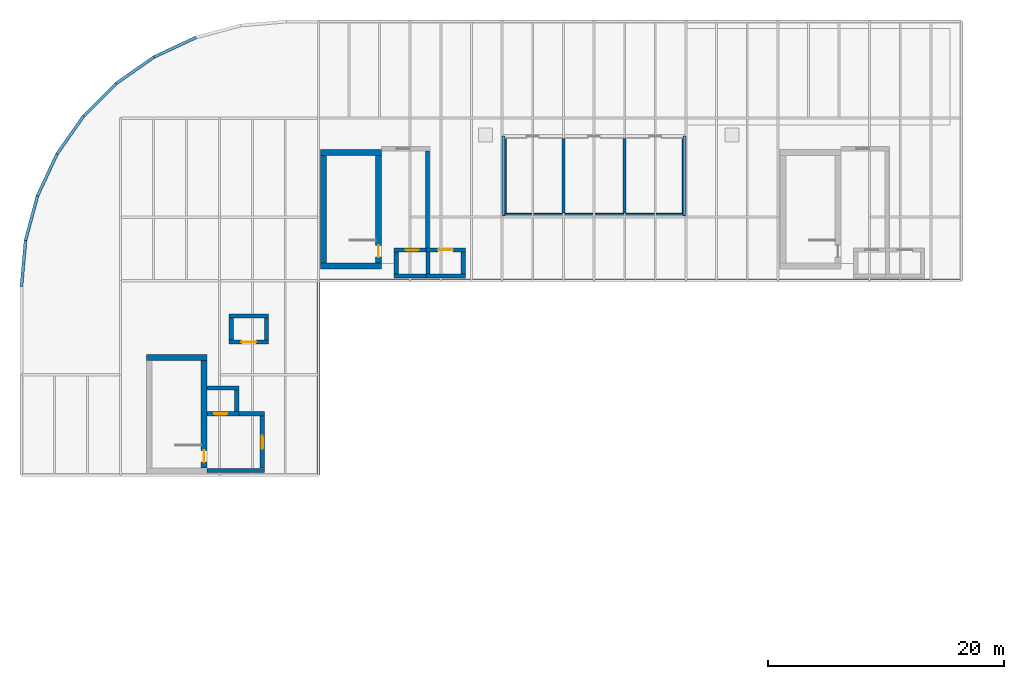
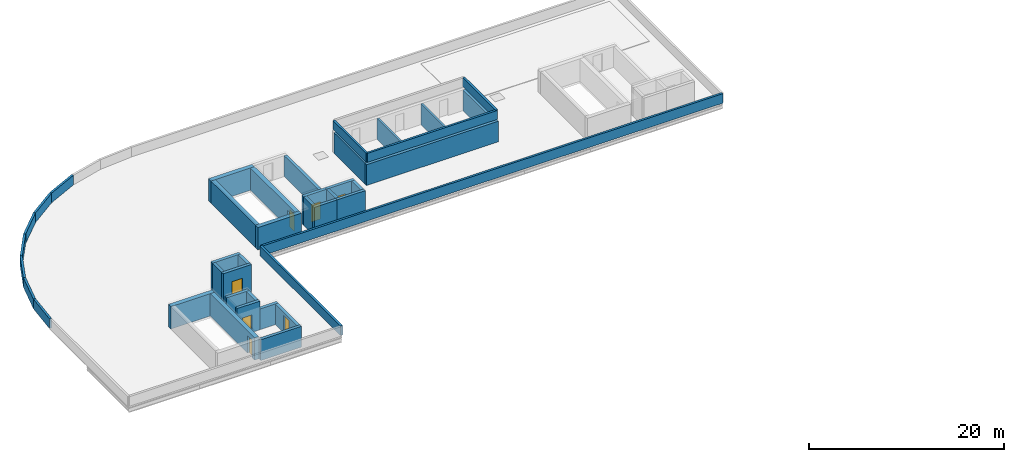
# One storey, part 4 of 9: 41 walls, 7 doors, 7 openings.
"""IFC4 building model written with IfcOpenShell, lengths in metres."""

from ifc_helpers import new_model, si_unit, direction, frame, frame_2d, origin, place, context, subcontext, project, spatial, rectangle, extrude, material, layer, layer_set, type_object, element, fill, save


model = new_model("IFC4")

# Units and contexts
model_context = context("Model", 3, precision=1e-05, world=origin(), true_north=direction((0.0, 1.0)))
body_context = subcontext(model_context, "Body", "Model", "MODEL_VIEW")
ifc_project = project(units=[si_unit("LENGTHUNIT", "METRE"), si_unit("AREAUNIT", "SQUARE_METRE"), si_unit("VOLUMEUNIT", "CUBIC_METRE"), si_unit("PLANEANGLEUNIT", "RADIAN"), si_unit("MASSUNIT", "GRAM", prefix="KILO")], contexts=[model_context])

# Site, building, storey
site_placement = place(None, origin())
site = spatial("IfcSite", under=ifc_project, at=site_placement, CompositionType="ELEMENT")
building_placement = place(site_placement, origin())
building = spatial("IfcBuilding", under=site, at=building_placement, Name="Sefraquen Railside Congress Hotel", CompositionType="ELEMENT")
storey_placement = place(building_placement, frame((0.0, 0.0, 51.60009765625)))
storey = spatial("IfcBuildingStorey", under=building, at=storey_placement, Name="RF", CompositionType="ELEMENT", Elevation=51.60009765625)

# Walls
ifc_material_1 = material(Name="Concrete C50/60", Category="concrete")
ifc_layer_1 = layer(ifc_material_1, 0.35009765625)
ifc_layer_set_1 = layer_set([ifc_layer_1], Name="Concrete C50/60")
wall_type_1 = type_object("IfcWallType", Name="TW-CW-350", PredefinedType="SHEAR", material=ifc_layer_set_1)
wall_1_placement = place(storey_placement, frame((40.800048828125, 101.574951171875, 0.0), z_axis=(0.0, 0.0, 1.0), x_axis=(1.0, 0.0, 0.0)))
element("IfcWall", 1, at=wall_1_placement, inside=storey, type_object=wall_type_1, Name="Rooftop service penthouse wall S", PredefinedType="SHEAR", context=body_context, shape_type="SweptSolid", body=[
    extrude(rectangle(XDim=15.599853515625, YDim=0.35009765625, at=frame_2d((7.7998046875, 0.0))), origin(), (0.0, 0.0, 1.0), 2.599853515625),
])
for number, where, z_axis, x_axis, name in (
    (2, (40.97509765625, 101.75, 0.0), (0.0, 0.0, 1.0), (0.0, 1.0, 0.0), "Rooftop service penthouse wall W"),
    (3, (56.22509765625, 101.75, 0.0), (0.0, 0.0, 1.0), (0.0, 1.0, 0.0), "Rooftop service penthouse wall E"),
):
    element("IfcWall", number, at=place(storey_placement, frame(where, z_axis=z_axis, x_axis=x_axis)), inside=storey, type_object=wall_type_1, Name=name, PredefinedType="SHEAR", context=body_context, shape_type="SweptSolid", body=[
        extrude(rectangle(XDim=6.300048828125, YDim=0.35009765625, at=frame_2d((3.14990234375, 0.0))), origin(), (0.0, 0.0, 1.0), 2.599853515625),
    ])
wall_2_placement = place(storey_placement, frame((15.760009765625, 86.89501953125, 0.0), z_axis=(0.0, 0.0, 1.0), x_axis=(1.0, 0.0, 0.0)))
element("IfcWall", 4, at=wall_2_placement, inside=storey, type_object=wall_type_1, Name="Lift FL-01 shaft wall N RF", PredefinedType="SHEAR", context=body_context, shape_type="SweptSolid", body=[
    extrude(rectangle(XDim=2.68994140625, YDim=0.35009765625, at=frame_2d((1.344970703125, 0.0))), origin(), (0.0, 0.0, 1.0), 3.599853515625),
])

# Wall, opening, door
wall_3_placement = place(storey_placement, frame((15.760009765625, 84.705078125, 0.0), z_axis=(0.0, 0.0, 1.0), x_axis=(1.0, 0.0, 0.0)))
wall_3 = element("IfcWall", 5, at=wall_3_placement, inside=storey, type_object=wall_type_1, Name="Lift FL-01 shaft wall S RF", PredefinedType="SHEAR", context=body_context, shape_type="SweptSolid", body=[
    extrude(rectangle(XDim=2.68994140625, YDim=0.35009765625, at=frame_2d((1.344970703125, 0.0))), origin(), (0.0, 0.0, 1.0), 3.599853515625),
])
opening_1_placement = place(wall_3_placement, frame((0.6201171875, 0.0, 0.0)))
opening_1 = element("IfcOpeningElement", 6, at=opening_1_placement, cuts=wall_3, Name="Opening LD-01", PredefinedType="OPENING", context=body_context, shape_type="SweptSolid", body=[
    extrude(rectangle(XDim=1.10009765625, YDim=2.199951171875, at=frame_2d((0.550048828125, 1.10009765625))), frame((0.0, 0.18505859375, 0.0), z_axis=(0.0, -1.0, 0.0), x_axis=(1.0, 0.0, 0.0)), (0.0, 0.0, 1.0), 0.3701171875),
])
ifc_material_2 = material(Name="Brushed bronze stainless steel", Category="steel")
door_type_1 = type_object("IfcDoorType", Name="TD-LD-01", OperationType="NOTDEFINED", PredefinedType="DOOR", material=ifc_material_2)
door_1_placement = place(opening_1_placement, origin())
door_1 = element("IfcDoor", 7, at=door_1_placement, inside=storey, type_object=door_type_1, Name="Lift landing door FL-01 RF", OperationType="SLIDING_TO_LEFT", OverallHeight=2.199951171875, OverallWidth=1.10009765625, PredefinedType="DOOR", context=body_context, shape_type="SweptSolid", body=[
    extrude(rectangle(XDim=1.10009765625, YDim=2.199951171875, at=frame_2d((0.550048828125, 1.10009765625))), frame((0.0, 0.02490234375, 0.0), z_axis=(0.0, -1.0, 0.0), x_axis=(1.0, 0.0, 0.0)), (0.0, 0.0, 1.0), 0.050048828125),
])
fill(opening_1, door_1)

# Wall
wall_4_placement = place(storey_placement, frame((18.27490234375, 84.8798828125, 0.0), z_axis=(0.0, 0.0, 1.0), x_axis=(0.0, 1.0, 0.0)))
element("IfcWall", 8, at=wall_4_placement, inside=storey, type_object=wall_type_1, Name="Lift FL-01 shaft wall E RF", PredefinedType="SHEAR", context=body_context, shape_type="SweptSolid", body=[
    extrude(rectangle(XDim=1.840087890625, YDim=0.35009765625, at=frame_2d((0.919921875, 0.0))), origin(), (0.0, 0.0, 1.0), 3.599853515625),
])

# Wall, opening, door
wall_5_placement = place(storey_placement, frame((31.639892578125, 98.594970703125, 0.0), z_axis=(0.0, 0.0, 1.0), x_axis=(1.0, 0.0, 0.0)))
wall_5 = element("IfcWall", 9, at=wall_5_placement, inside=storey, type_object=wall_type_1, Name="Lift FL-02 shaft wall N RF", PredefinedType="SHEAR", context=body_context, shape_type="SweptSolid", body=[
    extrude(rectangle(XDim=2.690185546875, YDim=0.35009765625, at=frame_2d((1.34521484375, 0.0))), origin(), (0.0, 0.0, 1.0), 3.599853515625),
])
opening_2_placement = place(wall_5_placement, frame((0.969970703125, 0.0, 0.0)))
opening_2 = element("IfcOpeningElement", 10, at=opening_2_placement, cuts=wall_5, Name="Opening LD-01", PredefinedType="OPENING", context=body_context, shape_type="SweptSolid", body=[
    extrude(rectangle(XDim=1.10009765625, YDim=2.199951171875, at=frame_2d((0.550048828125, 1.10009765625))), frame((0.0, 0.18505859375, 0.0), z_axis=(0.0, -1.0, 0.0), x_axis=(1.0, 0.0, 0.0)), (0.0, 0.0, 1.0), 0.3701171875),
])
door_2_placement = place(opening_2_placement, origin())
door_2 = element("IfcDoor", 11, at=door_2_placement, inside=storey, type_object=door_type_1, Name="Lift landing door FL-02 RF", OperationType="SLIDING_TO_LEFT", OverallHeight=2.199951171875, OverallWidth=1.10009765625, PredefinedType="DOOR", context=body_context, shape_type="SweptSolid", body=[
    extrude(rectangle(XDim=1.10009765625, YDim=2.199951171875, at=frame_2d((0.550048828125, 1.10009765625))), frame((0.0, 0.02490234375, 0.0), z_axis=(0.0, -1.0, 0.0), x_axis=(1.0, 0.0, 0.0)), (0.0, 0.0, 1.0), 0.050048828125),
])
fill(opening_2, door_2)

# Walls
wall_6_placement = place(storey_placement, frame((31.639892578125, 96.405029296875, 0.0), z_axis=(0.0, 0.0, 1.0), x_axis=(1.0, 0.0, 0.0)))
element("IfcWall", 12, at=wall_6_placement, inside=storey, type_object=wall_type_1, Name="Lift FL-02 shaft wall S RF", PredefinedType="SHEAR", context=body_context, shape_type="SweptSolid", body=[
    extrude(rectangle(XDim=2.690185546875, YDim=0.35009765625, at=frame_2d((1.34521484375, 0.0))), origin(), (0.0, 0.0, 1.0), 3.599853515625),
])
wall_7_placement = place(storey_placement, frame((31.81494140625, 96.580078125, 0.0), z_axis=(0.0, 0.0, 1.0), x_axis=(0.0, 1.0, 0.0)))
element("IfcWall", 13, at=wall_7_placement, inside=storey, type_object=wall_type_1, Name="Lift FL-02 shaft wall W RF", PredefinedType="SHEAR", context=body_context, shape_type="SweptSolid", body=[
    extrude(rectangle(XDim=1.83984375, YDim=0.35009765625, at=frame_2d((0.919921875, 0.0))), origin(), (0.0, 0.0, 1.0), 3.599853515625),
])
wall_8_placement = place(storey_placement, frame((17.6298828125, 92.9951171875, 0.0), z_axis=(0.0, 0.0, 1.0), x_axis=(1.0, 0.0, 0.0)))
element("IfcWall", 14, at=wall_8_placement, inside=storey, type_object=wall_type_1, Name="Lift PL-01 shaft wall N RF", PredefinedType="SHEAR", context=body_context, shape_type="SweptSolid", body=[
    extrude(rectangle(XDim=3.340087890625, YDim=0.35009765625, at=frame_2d((1.669921875, 0.0))), origin(), (0.0, 0.0, 1.0), 3.599853515625),
])

# Wall, opening, door
wall_9_placement = place(storey_placement, frame((17.6298828125, 90.804931640625, 0.0), z_axis=(0.0, 0.0, 1.0), x_axis=(1.0, 0.0, 0.0)))
wall_9 = element("IfcWall", 15, at=wall_9_placement, inside=storey, type_object=wall_type_1, Name="Lift PL-01 shaft wall S RF", PredefinedType="SHEAR", context=body_context, shape_type="SweptSolid", body=[
    extrude(rectangle(XDim=3.340087890625, YDim=0.35009765625, at=frame_2d((1.669921875, 0.0))), origin(), (0.0, 0.0, 1.0), 3.599853515625),
])
opening_3_placement = place(wall_9_placement, frame((1.044921875, 0.0, 0.0)))
opening_3 = element("IfcOpeningElement", 16, at=opening_3_placement, cuts=wall_9, Name="Opening LD-02", PredefinedType="OPENING", context=body_context, shape_type="SweptSolid", body=[
    extrude(rectangle(XDim=1.25, YDim=2.25, at=frame_2d((0.625, 1.125))), frame((0.0, 0.18505859375, 0.0), z_axis=(0.0, -1.0, 0.0), x_axis=(1.0, 0.0, 0.0)), (0.0, 0.0, 1.0), 0.3701171875),
])
ifc_material_3 = material(Name="Brushed stainless steel", Category="steel")
door_type_2 = type_object("IfcDoorType", Name="TD-LD-02", OperationType="NOTDEFINED", PredefinedType="DOOR", material=ifc_material_3)
door_3_placement = place(opening_3_placement, origin())
door_3 = element("IfcDoor", 17, at=door_3_placement, inside=storey, type_object=door_type_2, Name="Lift landing door PL-01 RF", OperationType="SLIDING_TO_LEFT", OverallHeight=2.25, OverallWidth=1.25, PredefinedType="DOOR", context=body_context, shape_type="SweptSolid", body=[
    extrude(rectangle(XDim=1.25, YDim=2.25, at=frame_2d((0.625, 1.125))), frame((0.0, 0.02490234375, 0.0), z_axis=(0.0, -1.0, 0.0), x_axis=(1.0, 0.0, 0.0)), (0.0, 0.0, 1.0), 0.050048828125),
])
fill(opening_3, door_3)

# Walls
for number, where, z_axis, x_axis, name in (
    (18, (17.804931640625, 90.97998046875, 0.0), (0.0, 0.0, 1.0), (0.0, 1.0, 0.0), "Lift PL-01 shaft wall W RF"),
    (19, (20.794921875, 90.97998046875, 0.0), (0.0, 0.0, 1.0), (0.0, 1.0, 0.0), "Lift PL-01 shaft wall E RF"),
):
    element("IfcWall", number, at=place(storey_placement, frame(where, z_axis=z_axis, x_axis=x_axis)), inside=storey, type_object=wall_type_1, Name=name, PredefinedType="SHEAR", context=body_context, shape_type="SweptSolid", body=[
        extrude(rectangle(XDim=1.840087890625, YDim=0.35009765625, at=frame_2d((0.919921875, 0.0))), origin(), (0.0, 0.0, 1.0), 3.599853515625),
    ])

# Wall, opening, door
wall_10_placement = place(storey_placement, frame((34.330078125, 98.594970703125, 0.0), z_axis=(0.0, 0.0, 1.0), x_axis=(1.0, 0.0, 0.0)))
wall_10 = element("IfcWall", 20, at=wall_10_placement, inside=storey, type_object=wall_type_1, Name="Lift PL-03 shaft wall N RF", PredefinedType="SHEAR", context=body_context, shape_type="SweptSolid", body=[
    extrude(rectangle(XDim=3.33984375, YDim=0.35009765625, at=frame_2d((1.669921875, 0.0))), origin(), (0.0, 0.0, 1.0), 3.599853515625),
])
opening_4_placement = place(wall_10_placement, frame((1.044921875, 0.0, 0.0)))
opening_4 = element("IfcOpeningElement", 21, at=opening_4_placement, cuts=wall_10, Name="Opening LD-02", PredefinedType="OPENING", context=body_context, shape_type="SweptSolid", body=[
    extrude(rectangle(XDim=1.25, YDim=2.25, at=frame_2d((0.625, 1.125))), frame((0.0, 0.18505859375, 0.0), z_axis=(0.0, -1.0, 0.0), x_axis=(1.0, 0.0, 0.0)), (0.0, 0.0, 1.0), 0.3701171875),
])
door_4_placement = place(opening_4_placement, origin())
door_4 = element("IfcDoor", 22, at=door_4_placement, inside=storey, type_object=door_type_2, Name="Lift landing door PL-03 RF", OperationType="SLIDING_TO_LEFT", OverallHeight=2.25, OverallWidth=1.25, PredefinedType="DOOR", context=body_context, shape_type="SweptSolid", body=[
    extrude(rectangle(XDim=1.25, YDim=2.25, at=frame_2d((0.625, 1.125))), frame((0.0, 0.02490234375, 0.0), z_axis=(0.0, -1.0, 0.0), x_axis=(1.0, 0.0, 0.0)), (0.0, 0.0, 1.0), 0.050048828125),
])
fill(opening_4, door_4)

# Walls
wall_11_placement = place(storey_placement, frame((34.330078125, 96.405029296875, 0.0), z_axis=(0.0, 0.0, 1.0), x_axis=(1.0, 0.0, 0.0)))
element("IfcWall", 23, at=wall_11_placement, inside=storey, type_object=wall_type_1, Name="Lift PL-03 shaft wall S RF", PredefinedType="SHEAR", context=body_context, shape_type="SweptSolid", body=[
    extrude(rectangle(XDim=3.33984375, YDim=0.35009765625, at=frame_2d((1.669921875, 0.0))), origin(), (0.0, 0.0, 1.0), 3.599853515625),
])
for number, where, z_axis, x_axis, name in (
    (24, (34.5048828125, 96.580078125, 0.0), (0.0, 0.0, 1.0), (0.0, 1.0, 0.0), "Lift PL-03 shaft wall W RF"),
    (25, (37.4951171875, 96.580078125, 0.0), (0.0, 0.0, 1.0), (0.0, 1.0, 0.0), "Lift PL-03 shaft wall E RF"),
):
    element("IfcWall", number, at=place(storey_placement, frame(where, z_axis=z_axis, x_axis=x_axis)), inside=storey, type_object=wall_type_1, Name=name, PredefinedType="SHEAR", context=body_context, shape_type="SweptSolid", body=[
        extrude(rectangle(XDim=1.83984375, YDim=0.35009765625, at=frame_2d((0.919921875, 0.0))), origin(), (0.0, 0.0, 1.0), 3.599853515625),
    ])
wall_12_placement = place(storey_placement, frame((15.760009765625, 79.89990234375, 0.0), z_axis=(0.0, 0.0, 1.0), x_axis=(1.0, 0.0, 0.0)))
element("IfcWall", 26, at=wall_12_placement, inside=storey, type_object=wall_type_1, Name="Firefighting Lift Lobby FFL-01 S fire wall RF", PredefinedType="SHEAR", context=body_context, shape_type="SweptSolid", body=[
    extrude(rectangle(XDim=4.860107421875, YDim=0.35009765625, at=frame_2d((2.43017578125, 0.0))), origin(), (0.0, 0.0, 1.0), 2.599853515625),
])
wall_13_placement = place(storey_placement, frame((18.449951171875, 84.705078125, 0.0), z_axis=(0.0, 0.0, 1.0), x_axis=(1.0, 0.0, 0.0)))
element("IfcWall", 27, at=wall_13_placement, inside=storey, type_object=wall_type_1, Name="Firefighting Lift Lobby FFL-01 N fire wall RF", PredefinedType="SHEAR", context=body_context, shape_type="SweptSolid", body=[
    extrude(rectangle(XDim=2.170166015625, YDim=0.35009765625, at=frame_2d((1.0849609375, 0.0))), origin(), (0.0, 0.0, 1.0), 2.599853515625),
])

# Wall, opening, door
wall_14_placement = place(storey_placement, frame((20.43994140625, 80.080078125, 0.0), z_axis=(0.0, 0.0, 1.0), x_axis=(0.0, 1.0, 0.0)))
wall_14 = element("IfcWall", 28, at=wall_14_placement, inside=storey, type_object=wall_type_1, Name="Firefighting Lift Lobby FFL-01 EI 120 separation wall RF", PredefinedType="SHEAR", context=body_context, shape_type="SweptSolid", body=[
    extrude(rectangle(XDim=4.449951171875, YDim=0.35009765625, at=frame_2d((2.22509765625, 0.0))), origin(), (0.0, 0.0, 1.0), 2.599853515625),
])
opening_5_placement = place(wall_14_placement, frame((1.64990234375, 0.0, 0.0)))
opening_5 = element("IfcOpeningElement", 29, at=opening_5_placement, cuts=wall_14, Name="Opening FD-04", PredefinedType="OPENING", context=body_context, shape_type="SweptSolid", body=[
    extrude(rectangle(XDim=1.10009765625, YDim=2.199951171875, at=frame_2d((0.550048828125, 1.10009765625))), frame((0.0, 0.18505859375, 0.0), z_axis=(0.0, -1.0, 0.0), x_axis=(1.0, 0.0, 0.0)), (0.0, 0.0, 1.0), 0.3701171875),
])
ifc_material_4 = material(Name="Fire-rated steel", Category="steel")
door_type_3 = type_object("IfcDoorType", Name="TD-FD-04", OperationType="NOTDEFINED", PredefinedType="DOOR", material=ifc_material_4)
door_5_placement = place(opening_5_placement, origin())
door_5 = element("IfcDoor", 30, at=door_5_placement, inside=storey, type_object=door_type_3, Name="Firefighting Lift Lobby FFL-01 self-closing fire door RF", OperationType="SINGLE_SWING_RIGHT", OverallHeight=2.199951171875, OverallWidth=1.10009765625, PredefinedType="DOOR", context=body_context, shape_type="SweptSolid", body=[
    extrude(rectangle(XDim=1.10009765625, YDim=2.199951171875, at=frame_2d((0.550048828125, 1.10009765625))), frame((0.0, 0.02490234375, 0.0), z_axis=(0.0, -1.0, 0.0), x_axis=(1.0, 0.0, 0.0)), (0.0, 0.0, 1.0), 0.050048828125),
])
fill(opening_5, door_5)

# Walls
wall_15_placement = place(storey_placement, frame((34.47998046875, 98.780029296875, 0.0), z_axis=(0.0, 0.0, 1.0), x_axis=(0.0, 1.0, 0.0)))
element("IfcWall", 31, at=wall_15_placement, inside=storey, type_object=wall_type_1, Name="Firefighting Lift Lobby FFL-02 east fire wall RF", PredefinedType="SHEAR", context=body_context, shape_type="SweptSolid", body=[
    extrude(rectangle(XDim=8.239990234375, YDim=0.35009765625, at=frame_2d((4.1201171875, 0.0))), origin(), (0.0, 0.0, 1.0), 2.599853515625),
])
ifc_layer_2 = layer(ifc_material_1, 0.5)
ifc_layer_set_2 = layer_set([ifc_layer_2], Name="Concrete C50/60")
wall_type_2 = type_object("IfcWallType", Name="TW-CW-500", PredefinedType="SHEAR", material=ifc_layer_set_2)
wall_16_placement = place(storey_placement, frame((10.60009765625, 89.4619140625, 0.0), z_axis=(0.0, 0.0, 1.0), x_axis=(1.0, 0.0, 0.0)))
element("IfcWall", 32, at=wall_16_placement, inside=storey, type_object=wall_type_2, Name="Core shear wall ST-H01 N RF", PredefinedType="SHEAR", context=body_context, shape_type="SweptSolid", body=[
    extrude(rectangle(XDim=5.159912109375, YDim=0.5, at=frame_2d((2.580078125, 0.0))), origin(), (0.0, 0.0, 1.0), 2.7998046875),
])

# Wall, opening, door
wall_17_placement = place(storey_placement, frame((15.510009765625, 80.10009765625, 0.0), z_axis=(0.0, 0.0, 1.0), x_axis=(0.0, 1.0, 0.0)))
wall_17 = element("IfcWall", 33, at=wall_17_placement, inside=storey, type_object=wall_type_2, Name="Core shear wall ST-H01 E RF", PredefinedType="SHEAR", context=body_context, shape_type="SweptSolid", body=[
    extrude(rectangle(XDim=9.11181640625, YDim=0.5, at=frame_2d((4.555908203125, 0.0))), origin(), (0.0, 0.0, 1.0), 2.7998046875),
])
opening_6_placement = place(wall_17_placement, frame((0.489990234375, 0.0, 0.0)))
opening_6 = element("IfcOpeningElement", 34, at=opening_6_placement, cuts=wall_17, Name="Opening FD-05", PredefinedType="OPENING", context=body_context, shape_type="SweptSolid", body=[
    extrude(rectangle(XDim=1.0, YDim=2.14990234375, at=frame_2d((0.5, 1.074951171875))), frame((0.0, 0.260009765625, 0.0), z_axis=(0.0, -1.0, 0.0), x_axis=(1.0, 0.0, 0.0)), (0.0, 0.0, 1.0), 0.52001953125),
])
door_type_4 = type_object("IfcDoorType", Name="TD-FD-05", OperationType="NOTDEFINED", PredefinedType="DOOR", material=ifc_material_4)
door_6_placement = place(opening_6_placement, origin())
door_6 = element("IfcDoor", 35, at=door_6_placement, inside=storey, type_object=door_type_4, Name="Pressurized stair ST-H01 rooftop access door RF", OperationType="SINGLE_SWING_RIGHT", OverallHeight=2.14990234375, OverallWidth=1.0, PredefinedType="DOOR", context=body_context, shape_type="SweptSolid", body=[
    extrude(rectangle(XDim=1.0, YDim=2.14990234375, at=frame_2d((0.5, 1.074951171875))), frame((0.0, 0.02490234375, 0.0), z_axis=(0.0, -1.0, 0.0), x_axis=(1.0, 0.0, 0.0)), (0.0, 0.0, 1.0), 0.050048828125),
])
fill(opening_6, door_6)

# Walls
for number, where, z_axis, x_axis, name in (
    (36, (25.39990234375, 106.862060546875, 0.0), (0.0, 0.0, 1.0), (1.0, 0.0, 0.0), "Core shear wall ST-H02 N RF"),
    (37, (25.39990234375, 97.25, 0.0), (0.0, 0.0, 1.0), (1.0, 0.0, 0.0), "Core shear wall ST-H02 S RF"),
):
    element("IfcWall", number, at=place(storey_placement, frame(where, z_axis=z_axis, x_axis=x_axis)), inside=storey, type_object=wall_type_2, Name=name, PredefinedType="SHEAR", context=body_context, shape_type="SweptSolid", body=[
        extrude(rectangle(XDim=5.16015625, YDim=0.5, at=frame_2d((2.580078125, 0.0))), origin(), (0.0, 0.0, 1.0), 2.7998046875),
    ])
wall_18_placement = place(storey_placement, frame((25.64990234375, 97.5, 0.0), z_axis=(0.0, 0.0, 1.0), x_axis=(0.0, 1.0, 0.0)))
element("IfcWall", 38, at=wall_18_placement, inside=storey, type_object=wall_type_2, Name="Core shear wall ST-H02 W RF", PredefinedType="SHEAR", context=body_context, shape_type="SweptSolid", body=[
    extrude(rectangle(XDim=9.112060546875, YDim=0.5, at=frame_2d((4.55615234375, 0.0))), origin(), (0.0, 0.0, 1.0), 2.7998046875),
])

# Wall, opening, door
wall_19_placement = place(storey_placement, frame((30.31005859375, 97.5, 0.0), z_axis=(0.0, 0.0, 1.0), x_axis=(0.0, 1.0, 0.0)))
wall_19 = element("IfcWall", 39, at=wall_19_placement, inside=storey, type_object=wall_type_2, Name="Core shear wall ST-H02 E RF", PredefinedType="SHEAR", context=body_context, shape_type="SweptSolid", body=[
    extrude(rectangle(XDim=9.112060546875, YDim=0.5, at=frame_2d((4.55615234375, 0.0))), origin(), (0.0, 0.0, 1.0), 2.7998046875),
])
opening_7_placement = place(wall_19_placement, frame((0.489990234375, 0.0, 0.0)))
opening_7 = element("IfcOpeningElement", 40, at=opening_7_placement, cuts=wall_19, Name="Opening FD-05", PredefinedType="OPENING", context=body_context, shape_type="SweptSolid", body=[
    extrude(rectangle(XDim=1.0, YDim=2.14990234375, at=frame_2d((0.5, 1.074951171875))), frame((0.0, 0.260009765625, 0.0), z_axis=(0.0, -1.0, 0.0), x_axis=(1.0, 0.0, 0.0)), (0.0, 0.0, 1.0), 0.52001953125),
])
door_7_placement = place(opening_7_placement, origin())
door_7 = element("IfcDoor", 41, at=door_7_placement, inside=storey, type_object=door_type_4, Name="Pressurized stair ST-H02 rooftop access door RF", OperationType="SINGLE_SWING_RIGHT", OverallHeight=2.14990234375, OverallWidth=1.0, PredefinedType="DOOR", context=body_context, shape_type="SweptSolid", body=[
    extrude(rectangle(XDim=1.0, YDim=2.14990234375, at=frame_2d((0.5, 1.074951171875))), frame((0.0, 0.02490234375, 0.0), z_axis=(0.0, -1.0, 0.0), x_axis=(1.0, 0.0, 0.0)), (0.0, 0.0, 1.0), 0.050048828125),
])
fill(opening_7, door_7)

# Walls
ifc_material_5 = material(Name="Concrete C40/50", Category="concrete")
ifc_layer_3 = layer(ifc_material_5, 0.239990234375)
ifc_layer_set_3 = layer_set([ifc_layer_3], Name="Concrete C40/50")
wall_type_3 = type_object("IfcWallType", Name="TW-FW-240", PredefinedType="STANDARD", material=ifc_layer_set_3)
for number, where, z_axis, x_axis, name in (
    (42, (46.0, 101.75, 0.0), (0.0, 0.0, 1.0), (0.0, 1.0, 0.0), "Rooftop service penthouse EI 120 compartment wall 1"),
    (43, (51.199951171875, 101.75, 0.0), (0.0, 0.0, 1.0), (0.0, 1.0, 0.0), "Rooftop service penthouse EI 120 compartment wall 2"),
):
    element("IfcWall", number, at=place(storey_placement, frame(where, z_axis=z_axis, x_axis=x_axis)), inside=storey, type_object=wall_type_3, Name=name, PredefinedType="STANDARD", context=body_context, shape_type="SweptSolid", body=[
        extrude(rectangle(XDim=6.300048828125, YDim=0.239990234375, at=frame_2d((3.14990234375, 0.0))), origin(), (0.0, 0.0, 1.0), 2.599853515625),
    ])
ifc_material_6 = material(Name="Precast concrete C40/50", Category="concrete")
ifc_layer_4 = layer(ifc_material_6, 0.25)
ifc_layer_set_4 = layer_set([ifc_layer_4], Name="Precast concrete C40/50")
wall_type_4 = type_object("IfcWallType", Name="TW-PA-250", PredefinedType="PARAPET", material=ifc_layer_set_4)
wall_20_placement = place(storey_placement, frame((25.199951171875, 79.5, 0.0), z_axis=(0.0, 0.0, 1.0), x_axis=(0.0, 1.0, 0.0)))
element("IfcWall", 44, at=wall_20_placement, inside=storey, type_object=wall_type_4, Name="Hotel Crown RF perimeter parapet 02", PredefinedType="PARAPET", context=body_context, shape_type="SweptSolid", body=[
    extrude(rectangle(XDim=16.5, YDim=0.25, at=frame_2d((8.25, 0.0))), origin(), (0.0, 0.0, 1.0), 1.199951171875),
])
wall_21_placement = place(storey_placement, frame((25.199951171875, 96.0, 0.0), z_axis=(0.0, 0.0, 1.0), x_axis=(1.0, 0.0, 0.0)))
element("IfcWall", 45, at=wall_21_placement, inside=storey, type_object=wall_type_4, Name="Hotel Crown RF perimeter parapet 03", PredefinedType="PARAPET", context=body_context, shape_type="SweptSolid", body=[
    extrude(rectangle(XDim=54.60009765625, YDim=0.25, at=frame_2d((27.300048828125, 0.0))), origin(), (0.0, 0.0, 1.0), 1.199951171875),
])
for number, where, z_axis, x_axis, name in (
    (46, (14.804443359375, 116.64306640625, 0.0), (0.0, 0.0, 1.0), (-0.906307147916, -0.422619632337, 0.0), "Hotel Crown RF perimeter parapet 08"),
    (47, (11.25, 114.985595703125, 0.0), (0.0, 0.0, 1.0), (-0.819152950842, -0.573575141657, 0.0), "Hotel Crown RF perimeter parapet 09"),
):
    element("IfcWall", number, at=place(storey_placement, frame(where, z_axis=z_axis, x_axis=x_axis)), inside=storey, type_object=wall_type_4, Name=name, PredefinedType="PARAPET", context=body_context, shape_type="SweptSolid", body=[
        extrude(rectangle(XDim=3.921875, YDim=0.25, at=frame_2d((1.9609375, 0.0))), origin(), (0.0, 0.0, 1.0), 1.199951171875),
    ])
wall_22_placement = place(storey_placement, frame((8.037353515625, 112.736083984375, 0.0), z_axis=(0.0, 0.0, 1.0), x_axis=(-0.707106781187, -0.707106781187, 0.0)))
element("IfcWall", 48, at=wall_22_placement, inside=storey, type_object=wall_type_4, Name="Hotel Crown RF perimeter parapet 10", PredefinedType="PARAPET", context=body_context, shape_type="SweptSolid", body=[
    extrude(rectangle(XDim=3.922119140625, YDim=0.25, at=frame_2d((1.9609375, 0.0))), origin(), (0.0, 0.0, 1.0), 1.199951171875),
])
for number, where, z_axis, x_axis, name in (
    (49, (5.263916015625, 109.962646484375, 0.0), (0.0, 0.0, 1.0), (-0.573575141657, -0.819152950842, 0.0), "Hotel Crown RF perimeter parapet 11"),
    (50, (3.014404296875, 106.75, 0.0), (0.0, 0.0, 1.0), (-0.422619632337, -0.906307147916, 0.0), "Hotel Crown RF perimeter parapet 12"),
):
    element("IfcWall", number, at=place(storey_placement, frame(where, z_axis=z_axis, x_axis=x_axis)), inside=storey, type_object=wall_type_4, Name=name, PredefinedType="PARAPET", context=body_context, shape_type="SweptSolid", body=[
        extrude(rectangle(XDim=3.921875, YDim=0.25, at=frame_2d((1.9609375, 0.0))), origin(), (0.0, 0.0, 1.0), 1.199951171875),
    ])
wall_23_placement = place(storey_placement, frame((1.35693359375, 103.195556640625, 0.0), z_axis=(0.0, 0.0, 1.0), x_axis=(-0.25881697945, -0.965926379777, 0.0)))
element("IfcWall", 51, at=wall_23_placement, inside=storey, type_object=wall_type_4, Name="Hotel Crown RF perimeter parapet 13", PredefinedType="PARAPET", context=body_context, shape_type="SweptSolid", body=[
    extrude(rectangle(XDim=3.922119140625, YDim=0.25, at=frame_2d((1.9609375, 0.0))), origin(), (0.0, 0.0, 1.0), 1.199951171875),
])
wall_24_placement = place(storey_placement, frame((0.341796875, 99.406982421875, 0.0), z_axis=(0.0, 0.0, 1.0), x_axis=(-0.087150733665, -0.996195136317, 0.0)))
element("IfcWall", 52, at=wall_24_placement, inside=storey, type_object=wall_type_4, Name="Hotel Crown RF perimeter parapet 14", PredefinedType="PARAPET", context=body_context, shape_type="SweptSolid", body=[
    extrude(rectangle(XDim=3.921875, YDim=0.25, at=frame_2d((1.9609375, 0.0))), origin(), (0.0, 0.0, 1.0), 1.199951171875),
])
ifc_layer_5 = layer(ifc_material_6, 0.25)
ifc_layer_set_5 = layer_set([ifc_layer_5], Name="Precast concrete C40/50")
wall_type_5 = type_object("IfcWallType", Name="TW-SH-250", PredefinedType="PARAPET", material=ifc_layer_set_5)
wall_25_placement = place(storey_placement, frame((40.919921875, 101.52001953125, 2.85986328125), z_axis=(0.0, 0.0, 1.0), x_axis=(1.0, 0.0, 0.0)))
element("IfcWall", 53, at=wall_25_placement, inside=storey, type_object=wall_type_5, Name="Rooftop plant housing fire-rated parapet 1", PredefinedType="PARAPET", context=body_context, shape_type="SweptSolid", body=[
    extrude(rectangle(XDim=15.360107421875, YDim=0.25, at=frame_2d((7.68017578125, 0.0))), origin(), (0.0, 0.0, 1.0), 1.1201171875),
])
for number, where, z_axis, x_axis, name in (
    (54, (56.280029296875, 101.52001953125, 2.85986328125), (0.0, 0.0, 1.0), (0.0, 1.0, 0.0), "Rooftop plant housing fire-rated parapet 2"),
    (55, (40.919921875, 108.280029296875, 2.85986328125), (0.0, 0.0, 1.0), (0.0, -1.0, 0.0), "Rooftop plant housing fire-rated parapet 4"),
):
    element("IfcWall", number, at=place(storey_placement, frame(where, z_axis=z_axis, x_axis=x_axis)), inside=storey, type_object=wall_type_5, Name=name, PredefinedType="PARAPET", context=body_context, shape_type="SweptSolid", body=[
        extrude(rectangle(XDim=6.760009765625, YDim=0.25, at=frame_2d((3.3798828125, 0.0))), origin(), (0.0, 0.0, 1.0), 1.1201171875),
    ])

save(model, "model.ifc")
